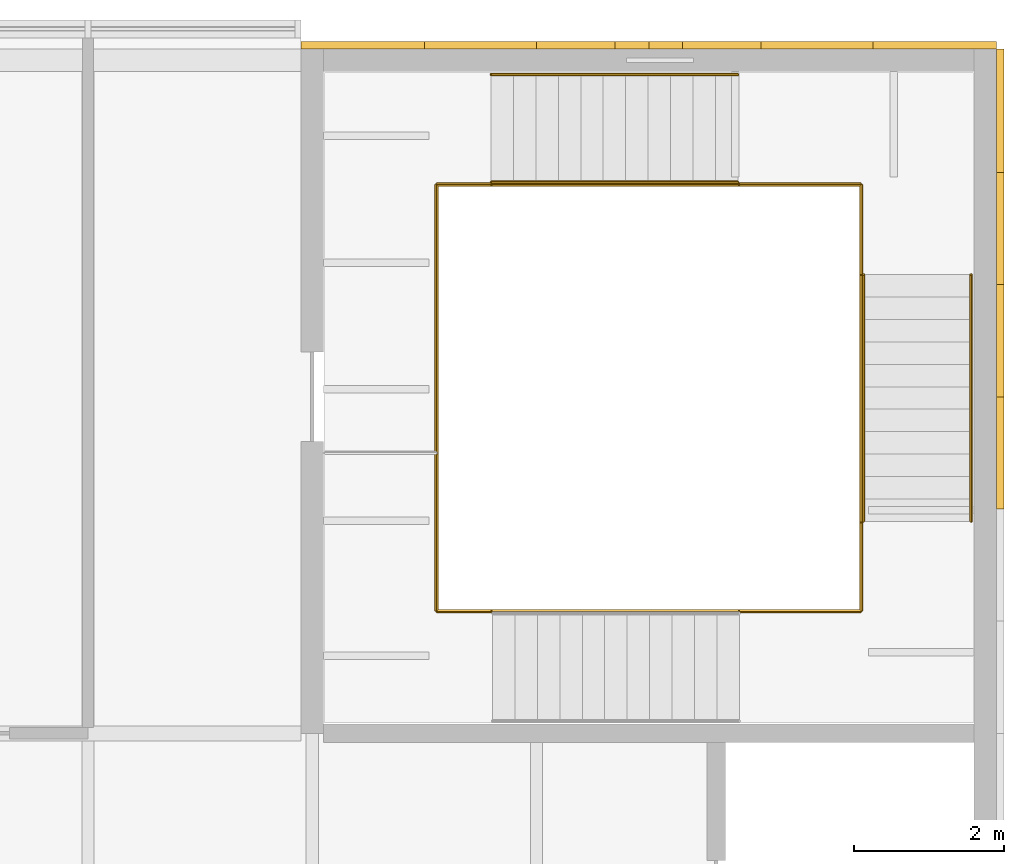
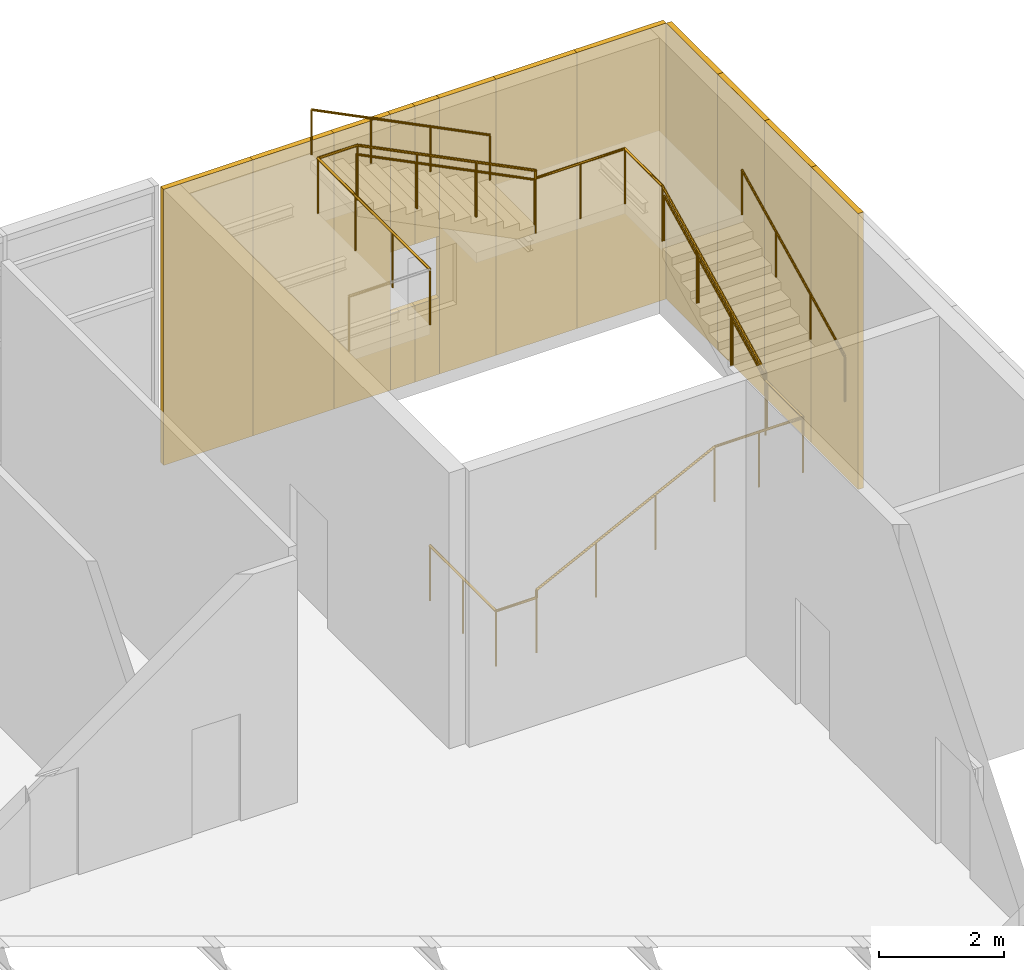
# One storey, part 52 of 52: 14 coverings, 5 railings.
"""IFC4 building model written with IfcOpenShell, lengths in metres."""

import ifcopenshell
import ifcopenshell.guid

model = None  # the IFC model being written
_history = None  # IfcOwnerHistory: only IFC2X3 demands one
_inside = {}  # id of a spatial element -> (the spatial element, [elements in it])
_under = {}  # id of a project, library or spatial element -> (it, [spatial elements below it])
_declared = {}  # id of a project -> (the project, [libraries it declares])
_typed = {}  # id of a type object -> (the type object, [elements of that type])
_made_of = {}  # id of a material, layer set ... -> (it, [elements and type objects made of it])


def new_model(schema):
    """Start an empty IFC model of exactly this schema.

    Asked for "IFC4X3", IfcOpenShell would pick the latest addendum, in which some entities
    have other attributes; the version numbers below select the first issue.
    IFC2X3 requires an IfcOwnerHistory on every rooted entity: one is made here for all.
    """
    global model, _history
    if schema == "IFC4X3":
        model = ifcopenshell.file(schema_version=(4, 3, 0, 0))
    else:
        model = ifcopenshell.file(schema=schema)
    _inside.clear()
    _under.clear()
    _declared.clear()
    _typed.clear()
    _made_of.clear()
    _history = None
    if model.schema == "IFC2X3":
        org = make("IfcOrganization", Name="unknown")
        user = make(
            "IfcPersonAndOrganization",
            ThePerson=make("IfcPerson", FamilyName="unknown"),
            TheOrganization=org,
        )
        app = make(
            "IfcApplication",
            ApplicationDeveloper=org,
            Version="unknown",
            ApplicationFullName="unknown",
            ApplicationIdentifier="unknown",
        )
        _history = make(
            "IfcOwnerHistory",
            OwningUser=user,
            OwningApplication=app,
            ChangeAction="ADDED",
            CreationDate=0,
        )
    return model


def make(cls, **values):
    """One entity of the class cls with the attributes given. An attribute that is None is left unset."""
    return model.create_entity(
        cls, **{name: value for name, value in values.items() if value is not None}
    )


def rooted(cls, **values):
    """An entity with a GlobalId (a new one), such as an element, a storey or a relation."""
    return make(cls, GlobalId=ifcopenshell.guid.new(), OwnerHistory=_history, **values)


def si_unit(unit_type, name, prefix=None):
    """IfcSIUnit, for example si_unit("LENGTHUNIT", "METRE", prefix="MILLI")."""
    return make("IfcSIUnit", UnitType=unit_type, Prefix=prefix, Name=name)


def assignment(units):
    """IfcUnitAssignment: the units of a project."""
    return None if units is None else make("IfcUnitAssignment", Units=units)


def point(xyz):
    """IfcCartesianPoint."""
    return None if xyz is None else make("IfcCartesianPoint", Coordinates=xyz)


def direction(xyz):
    """IfcDirection."""
    return None if xyz is None else make("IfcDirection", DirectionRatios=xyz)


def frame(location, z_axis=None, x_axis=None):
    """IfcAxis2Placement3D, a coordinate frame: its origin and axes. An axis left out is left unset."""
    return make(
        "IfcAxis2Placement3D",
        Location=point(location),
        Axis=direction(z_axis),
        RefDirection=direction(x_axis),
    )


def frame_2d(location, x_axis=None):
    """IfcAxis2Placement2D, a coordinate frame in the plane: its origin and x axis."""
    return make(
        "IfcAxis2Placement2D", Location=point(location), RefDirection=direction(x_axis)
    )


def origin():
    """The frame at (0, 0, 0) with its axes left unset."""
    return frame((0.0, 0.0, 0.0))


def origin_2d():
    """The frame at (0, 0) in the plane with its x axis left unset."""
    return frame_2d((0.0, 0.0))


def place(relative_to, where):
    """IfcLocalPlacement: puts the frame where relative to a parent placement (None: the world)."""
    return make(
        "IfcLocalPlacement", PlacementRelTo=relative_to, RelativePlacement=where
    )


def context(
    kind, dimensions, precision=None, world=None, true_north=None, identifier=None
):
    """IfcGeometricRepresentationContext, for example the 3D "Model" context."""
    return make(
        "IfcGeometricRepresentationContext",
        ContextIdentifier=identifier,
        ContextType=kind,
        CoordinateSpaceDimension=dimensions,
        Precision=precision,
        WorldCoordinateSystem=world,
        TrueNorth=true_north,
    )


def subcontext(parent, identifier, kind, view, scale=None):
    """IfcGeometricRepresentationSubContext, for example "Body" below "Model"."""
    return make(
        "IfcGeometricRepresentationSubContext",
        ContextIdentifier=identifier,
        ContextType=kind,
        ParentContext=parent,
        TargetScale=scale,
        TargetView=view,
    )


def project(units=None, contexts=None):
    """IfcProject with its units and contexts."""
    return rooted(
        "IfcProject",
        Name="project",
        RepresentationContexts=contexts,
        UnitsInContext=assignment(units),
    )


def spatial(cls, under=None, at=None, **own):
    """A site, building, storey or space (cls), placed at a placement, below another one or the project."""
    s = rooted(cls, ObjectPlacement=at, **own)
    if under is not None:
        _under.setdefault(under.id(), (under, []))[1].append(s)
    return s


def profile(cls, at=None, kind="AREA", **sizes):
    """A parametric profile (cls). Its sizes go by their IFC names, for example OverallWidth=200.0."""
    return make(cls, ProfileType=kind, Position=at, **sizes)


def rectangle(**sizes):
    """IfcRectangleProfileDef."""
    return profile("IfcRectangleProfileDef", **sizes)


def circle(**sizes):
    """IfcCircleProfileDef."""
    return profile("IfcCircleProfileDef", **sizes)


def extrude(swept, where, along, depth):
    """IfcExtrudedAreaSolid: the profile swept, set in the frame where, extruded along a direction by depth."""
    return make(
        "IfcExtrudedAreaSolid",
        SweptArea=swept,
        Position=where,
        ExtrudedDirection=direction(along),
        Depth=depth,
    )


def shape(context_of_items, identifier, shape_type, items):
    """IfcShapeRepresentation: the items that make up one representation, for example the "Body"."""
    return make(
        "IfcShapeRepresentation",
        ContextOfItems=context_of_items,
        RepresentationIdentifier=identifier,
        RepresentationType=shape_type,
        Items=items,
    )


def material(Name=None, Category=None):
    """IfcMaterial."""
    return make("IfcMaterial", Name=Name, Category=Category)


def layer(
    of_material, thickness, ventilated=None, Name=None, Category=None, Priority=None
):
    """IfcMaterialLayer: one layer of a wall or slab, of a material (None: an air gap)."""
    return make(
        "IfcMaterialLayer",
        Material=of_material,
        LayerThickness=thickness,
        IsVentilated=ventilated,
        Name=Name,
        Category=Category,
        Priority=Priority,
    )


def layer_set(layers, Name=None):
    """IfcMaterialLayerSet."""
    return make("IfcMaterialLayerSet", MaterialLayers=layers, LayerSetName=Name)


def made_of(thing, what):
    """Note that an element or type object is made of a material, layer set ...; save() writes the relation."""
    if what is not None:
        _made_of.setdefault(what.id(), (what, []))[1].append(thing)
    return thing


def type_object(cls, material=None, **own):
    """A type object (cls), such as IfcWallType, which elements share."""
    return made_of(rooted(cls, **own), material)


def element(
    cls,
    number,
    at=None,
    inside=None,
    cuts=None,
    type_object=None,
    material=None,
    context=None,
    identifier="Body",
    shape_type=None,
    held_by="IfcProductDefinitionShape",
    body=None,
    shapes=None,
    **own,
):
    """One element of the class cls, such as IfcWall. Its Tag is "e" and its number.

    at: its placement. inside: the storey or other place that contains it. cuts: it is an
    opening in that element (IfcRelVoidsElement). A single representation is given by context,
    identifier, shape_type and body (its items); several are given by shapes. held_by: the class
    of the entity that holds the representations. save() writes the other relations.
    """
    e = rooted(cls, Tag="e%d" % number, ObjectPlacement=at, **own)
    if body is not None:
        shapes = [shape(context, identifier, shape_type, body)]
    if shapes is not None:
        e.Representation = make(held_by, Representations=shapes)
    if inside is not None:
        _inside.setdefault(inside.id(), (inside, []))[1].append(e)
    if cuts is not None:
        rooted(
            "IfcRelVoidsElement", RelatingBuildingElement=cuts, RelatedOpeningElement=e
        )
    if type_object is not None:
        _typed.setdefault(type_object.id(), (type_object, []))[1].append(e)
    return made_of(e, material)


def aggregate(whole, parts):
    """IfcRelAggregates: a whole, such as a stair, and the parts it consists of."""
    return rooted("IfcRelAggregates", RelatingObject=whole, RelatedObjects=parts)


def save(model, path):
    """Write the relations noted so far, then the file.

    IfcRelAggregates (storeys below a building ...), IfcRelContainedInSpatialStructure (elements
    in a storey), IfcRelDefinesByType, IfcRelAssociatesMaterial and IfcRelDeclares: one each for
    every whole, place, type object, material and project.
    """
    for whole, parts in _under.values():
        aggregate(whole, parts)
    for where, things in _inside.values():
        rooted(
            "IfcRelContainedInSpatialStructure",
            RelatedElements=things,
            RelatingStructure=where,
        )
    for kind, things in _typed.values():
        rooted("IfcRelDefinesByType", RelatedObjects=things, RelatingType=kind)
    for what, things in _made_of.values():
        rooted("IfcRelAssociatesMaterial", RelatedObjects=things, RelatingMaterial=what)
    for by, libraries in _declared.values():
        rooted("IfcRelDeclares", RelatingContext=by, RelatedDefinitions=libraries)
    model.write(path)


model = new_model("IFC4")

# Units and contexts
model_context = context("Model", 3, precision=1e-05, world=origin(), true_north=direction((0.0, 1.0)))
body_context = subcontext(model_context, "Body", "Model", "MODEL_VIEW")
ifc_project = project(units=[si_unit("LENGTHUNIT", "METRE"), si_unit("AREAUNIT", "SQUARE_METRE"), si_unit("VOLUMEUNIT", "CUBIC_METRE"), si_unit("PLANEANGLEUNIT", "RADIAN"), si_unit("MASSUNIT", "GRAM", prefix="KILO")], contexts=[model_context])

# Site, building, storey
site_placement = place(None, origin())
site = spatial("IfcSite", under=ifc_project, at=site_placement, CompositionType="ELEMENT")
building_placement = place(site_placement, origin())
building = spatial("IfcBuilding", under=site, at=building_placement, Name="Azimuth Sports and Learning Centre", CompositionType="ELEMENT")
storey_placement = place(building_placement, frame((0.0, 0.0, 16.199951171875)))
storey = spatial("IfcBuildingStorey", under=building, at=storey_placement, Name="L03", CompositionType="ELEMENT", Elevation=16.199951171875)

# Coverings
ifc_material_1 = material(Name="Cladding panel")
ifc_layer = layer(ifc_material_1, 0.10009765625)
ifc_layer_set = layer_set([ifc_layer], Name="Cladding panel")
covering_type = type_object("IfcCoveringType", Name="Cladding panel 100", PredefinedType="CLADDING", material=ifc_layer_set)
for number, where, z_axis, x_axis, name in (
    (1, (171.199951171875, 111.75, 0.0), (0.0, 0.0, 1.0), (0.0, 1.0, 0.0), "Cladding panel E-END E L03 15"),
    (2, (171.199951171875, 113.25, 0.0), (0.0, 0.0, 1.0), (0.0, 1.0, 0.0), "Cladding panel E-END E L03 16"),
    (3, (171.199951171875, 114.75, 0.0), (0.0, 0.0, 1.0), (0.0, 1.0, 0.0), "Cladding panel E-END E L03 17"),
):
    element("IfcCovering", number, at=place(storey_placement, frame(where, z_axis=z_axis, x_axis=x_axis)), inside=storey, type_object=covering_type, Name=name, PredefinedType="CLADDING", context=body_context, shape_type="SweptSolid", body=[
        extrude(rectangle(XDim=1.5, YDim=0.10009765625, at=origin_2d()), origin(), (0.0, 0.0, 1.0), 5.39990234375),
    ])
for number, where, z_axis, x_axis, name in (
    (4, (171.199951171875, 116.324951171875, 0.0), (0.0, 0.0, 1.0), (0.0, 1.0, 0.0), "Cladding panel E-END E L03 18"),
    (5, (170.324951171875, 117.199951171875, 0.0), (0.0, 0.0, 1.0), (-1.0, 0.0, 0.0), "Cladding panel N-END E L03 1"),
):
    element("IfcCovering", number, at=place(storey_placement, frame(where, z_axis=z_axis, x_axis=x_axis)), inside=storey, type_object=covering_type, Name=name, PredefinedType="CLADDING", context=body_context, shape_type="SweptSolid", body=[
        extrude(rectangle(XDim=1.64990234375, YDim=0.10009765625, at=origin_2d()), origin(), (0.0, 0.0, 1.0), 5.39990234375),
    ])
covering_1_placement = place(storey_placement, frame((168.75, 117.199951171875, 0.0), z_axis=(0.0, 0.0, 1.0), x_axis=(-1.0, 0.0, 0.0)))
element("IfcCovering", 6, at=covering_1_placement, inside=storey, type_object=covering_type, Name="Cladding panel N-END E L03 2", PredefinedType="CLADDING", context=body_context, shape_type="SweptSolid", body=[
    extrude(rectangle(XDim=1.5, YDim=0.10009765625, at=origin_2d()), origin(), (0.0, 0.0, 1.0), 5.39990234375),
])
covering_2_placement = place(storey_placement, frame((167.47509765625, 117.199951171875, 0.0), z_axis=(0.0, 0.0, 1.0), x_axis=(-1.0, 0.0, 0.0)))
element("IfcCovering", 7, at=covering_2_placement, inside=storey, type_object=covering_type, Name="Cladding panel N-END E L03 3", PredefinedType="CLADDING", context=body_context, shape_type="SweptSolid", body=[
    extrude(rectangle(XDim=1.050048828125, YDim=0.10009765625, at=origin_2d()), origin(), (0.0, 0.0, 1.0), 5.39990234375),
])
covering_3_placement = place(storey_placement, frame((166.72509765625, 117.199951171875, 0.0), z_axis=(0.0, 0.0, 1.0), x_axis=(-1.0, 0.0, 0.0)))
element("IfcCovering", 8, at=covering_3_placement, inside=storey, type_object=covering_type, Name="Cladding panel N-END E L03 4", PredefinedType="CLADDING", context=body_context, shape_type="SweptSolid", body=[
    extrude(rectangle(XDim=0.449951171875, YDim=0.10009765625, at=origin_2d()), origin(), (0.0, 0.0, 1.0), 1.5),
])
covering_4_placement = place(storey_placement, frame((166.72509765625, 117.199951171875, 2.7001953125), z_axis=(0.0, 0.0, 1.0), x_axis=(-1.0, 0.0, 0.0)))
element("IfcCovering", 9, at=covering_4_placement, inside=storey, type_object=covering_type, Name="Cladding panel N-END E L03 5", PredefinedType="CLADDING", context=body_context, shape_type="SweptSolid", body=[
    extrude(rectangle(XDim=0.449951171875, YDim=0.10009765625, at=origin_2d()), origin(), (0.0, 0.0, 1.0), 2.699951171875),
])
covering_5_placement = place(storey_placement, frame((165.52490234375, 117.199951171875, 0.0), z_axis=(0.0, 0.0, 1.0), x_axis=(-1.0, 0.0, 0.0)))
element("IfcCovering", 10, at=covering_5_placement, inside=storey, type_object=covering_type, Name="Cladding panel N-END E L03 6", PredefinedType="CLADDING", context=body_context, shape_type="SweptSolid", body=[
    extrude(rectangle(XDim=1.050048828125, YDim=0.10009765625, at=origin_2d()), origin(), (0.0, 0.0, 1.0), 5.39990234375),
])
covering_6_placement = place(storey_placement, frame((166.27490234375, 117.199951171875, 0.0), z_axis=(0.0, 0.0, 1.0), x_axis=(-1.0, 0.0, 0.0)))
element("IfcCovering", 11, at=covering_6_placement, inside=storey, type_object=covering_type, Name="Cladding panel N-END E L03 7", PredefinedType="CLADDING", context=body_context, shape_type="SweptSolid", body=[
    extrude(rectangle(XDim=0.449951171875, YDim=0.10009765625, at=origin_2d()), origin(), (0.0, 0.0, 1.0), 1.5),
])
covering_7_placement = place(storey_placement, frame((166.27490234375, 117.199951171875, 2.7001953125), z_axis=(0.0, 0.0, 1.0), x_axis=(-1.0, 0.0, 0.0)))
element("IfcCovering", 12, at=covering_7_placement, inside=storey, type_object=covering_type, Name="Cladding panel N-END E L03 8", PredefinedType="CLADDING", context=body_context, shape_type="SweptSolid", body=[
    extrude(rectangle(XDim=0.449951171875, YDim=0.10009765625, at=origin_2d()), origin(), (0.0, 0.0, 1.0), 2.699951171875),
])
covering_8_placement = place(storey_placement, frame((164.25, 117.199951171875, 0.0), z_axis=(0.0, 0.0, 1.0), x_axis=(-1.0, 0.0, 0.0)))
element("IfcCovering", 13, at=covering_8_placement, inside=storey, type_object=covering_type, Name="Cladding panel N-END E L03 9", PredefinedType="CLADDING", context=body_context, shape_type="SweptSolid", body=[
    extrude(rectangle(XDim=1.5, YDim=0.10009765625, at=origin_2d()), origin(), (0.0, 0.0, 1.0), 5.39990234375),
])
covering_9_placement = place(storey_placement, frame((162.675048828125, 117.199951171875, 0.0), z_axis=(0.0, 0.0, 1.0), x_axis=(-1.0, 0.0, 0.0)))
element("IfcCovering", 14, at=covering_9_placement, inside=storey, type_object=covering_type, Name="Cladding panel N-END E L03 10", PredefinedType="CLADDING", context=body_context, shape_type="SweptSolid", body=[
    extrude(rectangle(XDim=1.64990234375, YDim=0.10009765625, at=origin_2d()), origin(), (0.0, 0.0, 1.0), 5.39990234375),
])

# Railings
ifc_material_2 = material(Name="Stainless steel", Category="steel")
railing_type_1 = type_object("IfcRailingType", Name="Stair guard 1100", PredefinedType="GUARDRAIL", material=ifc_material_2)
railing_placement = place(storey_placement, frame((163.659912109375, 111.75, 0.0)))
element("IfcRailing", 15, at=railing_placement, inside=storey, type_object=railing_type_1, Name="Guard EW2 L03 well", PredefinedType="GUARDRAIL", context=body_context, shape_type="SweptSolid", body=[
    extrude(circle(Radius=0.02392578125, at=origin_2d()), frame((0.0, 0.0, 1.076171875), z_axis=(0.0, -1.0, 0.0), x_axis=(1.0, 0.0, 0.0)), (0.0, 0.0, 1.0), 2.114990234375),
    extrude(circle(Radius=0.02392578125, at=origin_2d()), frame((0.0, -2.114990234375, 1.076171875), z_axis=(1.0, 0.0, 0.0), x_axis=(0.0, 1.0, 0.0)), (0.0, 0.0, 1.0), 0.75),
    extrude(circle(Radius=0.02392578125, at=origin_2d()), frame((0.75, -2.114990234375, 1.076171875), z_axis=(0.0, 0.0, 1.0), x_axis=(1.0, 0.0, 0.0)), (0.0, 0.0, 1.0), 0.150146484375),
    extrude(circle(Radius=0.02392578125, at=origin_2d()), frame((0.75, -2.114990234375, 1.22607421875), z_axis=(0.894440424912, 0.0, 0.447187126696), x_axis=(0.0, 1.0, 0.0)), (0.0, 0.0, 1.0), 3.689453125),
    extrude(circle(Radius=0.02392578125, at=origin_2d()), frame((4.050048828125, -2.114990234375, 2.8759765625), z_axis=(1.0, 0.0, 0.0), x_axis=(0.0, 1.0, 0.0)), (0.0, 0.0, 1.0), 1.630126953125),
    extrude(circle(Radius=0.02392578125, at=origin_2d()), frame((5.68017578125, -2.114990234375, 2.8759765625), z_axis=(0.0, 1.0, 0.0), x_axis=(-1.0, 0.0, 0.0)), (0.0, 0.0, 1.0), 1.199951171875),
    extrude(circle(Radius=0.02392578125, at=origin_2d()), frame((5.68017578125, -0.9150390625, 2.8759765625), z_axis=(0.0, 0.0, 1.0), x_axis=(1.0, 0.0, 0.0)), (0.0, 0.0, 1.0), 0.14990234375),
    extrude(circle(Radius=0.02392578125, at=origin_2d()), frame((5.68017578125, -0.9150390625, 3.02587890625), z_axis=(0.0, 0.894413956696, 0.447240063129), x_axis=(-1.0, 0.0, 0.0)), (0.0, 0.0, 1.0), 3.689697265625),
    extrude(circle(Radius=0.02392578125, at=origin_2d()), frame((5.68017578125, 2.385009765625, 4.67626953125), z_axis=(0.0, 1.0, 0.0), x_axis=(-1.0, 0.0, 0.0)), (0.0, 0.0, 1.0), 1.205078125),
    extrude(circle(Radius=0.02392578125, at=origin_2d()), frame((5.68017578125, 3.590087890625, 4.67626953125), z_axis=(-1.0, 0.0, 0.0), x_axis=(0.0, -1.0, 0.0)), (0.0, 0.0, 1.0), 1.650146484375),
    extrude(circle(Radius=0.02392578125, at=origin_2d()), frame((4.030029296875, 3.590087890625, 4.67626953125), z_axis=(0.0, 0.0, 1.0), x_axis=(1.0, 0.0, 0.0)), (0.0, 0.0, 1.0), 0.14990234375),
    extrude(circle(Radius=0.02392578125, at=origin_2d()), frame((4.030029296875, 3.590087890625, 4.826171875), z_axis=(-0.894413956696, 0.0, 0.447240063129), x_axis=(0.0, -1.0, 0.0)), (0.0, 0.0, 1.0), 3.689697265625),
    extrude(circle(Radius=0.02392578125, at=origin_2d()), frame((0.72998046875, 3.590087890625, 6.47607421875), z_axis=(-1.0, 0.0, 0.0), x_axis=(0.0, -1.0, 0.0)), (0.0, 0.0, 1.0), 0.72998046875),
    extrude(circle(Radius=0.02392578125, at=origin_2d()), frame((0.0, 3.590087890625, 6.47607421875), z_axis=(0.0, -1.0, 0.0), x_axis=(1.0, 0.0, 0.0)), (0.0, 0.0, 1.0), 3.590087890625),
    extrude(circle(Radius=0.01611328125, at=origin_2d()), origin(), (0.0, 0.0, 1.0), 1.052001953125),
    extrude(circle(Radius=0.01611328125, at=origin_2d()), frame((0.0, -1.0576171875, 0.0)), (0.0, 0.0, 1.0), 1.052001953125),
    extrude(circle(Radius=0.01611328125, at=origin_2d()), frame((0.0, -2.114990234375, 0.0)), (0.0, 0.0, 1.0), 1.052001953125),
    extrude(circle(Radius=0.01611328125, at=origin_2d()), frame((0.75, -2.114990234375, 0.0)), (0.0, 0.0, 1.0), 1.052001953125),
    extrude(circle(Radius=0.01611328125, at=origin_2d()), frame((0.75, -2.114990234375, 0.150146484375)), (0.0, 0.0, 1.0), 1.052001953125),
    extrude(circle(Radius=0.01611328125, at=origin_2d()), frame((1.85009765625, -2.114990234375, 0.7001953125)), (0.0, 0.0, 1.0), 1.052001953125),
    extrude(circle(Radius=0.01611328125, at=origin_2d()), frame((2.949951171875, -2.114990234375, 1.25)), (0.0, 0.0, 1.0), 1.052001953125),
    extrude(circle(Radius=0.01611328125, at=origin_2d()), frame((4.050048828125, -2.114990234375, 1.800048828125)), (0.0, 0.0, 1.0), 1.052001953125),
    extrude(circle(Radius=0.01611328125, at=origin_2d()), frame((4.865234375, -2.114990234375, 1.800048828125)), (0.0, 0.0, 1.0), 1.052001953125),
    extrude(circle(Radius=0.01611328125, at=origin_2d()), frame((5.68017578125, -2.114990234375, 1.800048828125)), (0.0, 0.0, 1.0), 1.052001953125),
    extrude(circle(Radius=0.01611328125, at=origin_2d()), frame((5.68017578125, -0.9150390625, 1.800048828125)), (0.0, 0.0, 1.0), 1.052001953125),
    extrude(circle(Radius=0.01611328125, at=origin_2d()), frame((5.68017578125, -0.9150390625, 1.949951171875)), (0.0, 0.0, 1.0), 1.052001953125),
    extrude(circle(Radius=0.01611328125, at=origin_2d()), frame((5.68017578125, 0.18505859375, 2.5)), (0.0, 0.0, 1.0), 1.052001953125),
    extrude(circle(Radius=0.01611328125, at=origin_2d()), frame((5.68017578125, 1.284912109375, 3.050048828125)), (0.0, 0.0, 1.0), 1.052001953125),
    extrude(circle(Radius=0.01611328125, at=origin_2d()), frame((5.68017578125, 2.385009765625, 3.60009765625)), (0.0, 0.0, 1.0), 1.052001953125),
    extrude(circle(Radius=0.01611328125, at=origin_2d()), frame((5.68017578125, 3.590087890625, 3.60009765625)), (0.0, 0.0, 1.0), 1.052001953125),
    extrude(circle(Radius=0.01611328125, at=origin_2d()), frame((4.85498046875, 3.590087890625, 3.60009765625)), (0.0, 0.0, 1.0), 1.052001953125),
    extrude(circle(Radius=0.01611328125, at=origin_2d()), frame((4.030029296875, 3.590087890625, 3.60009765625)), (0.0, 0.0, 1.0), 1.052001953125),
    extrude(circle(Radius=0.01611328125, at=origin_2d()), frame((4.030029296875, 3.590087890625, 3.75)), (0.0, 0.0, 1.0), 1.052001953125),
    extrude(circle(Radius=0.01611328125, at=origin_2d()), frame((2.929931640625, 3.590087890625, 4.300048828125)), (0.0, 0.0, 1.0), 1.052001953125),
    extrude(circle(Radius=0.01611328125, at=origin_2d()), frame((1.830078125, 3.590087890625, 4.85009765625)), (0.0, 0.0, 1.0), 1.052001953125),
    extrude(circle(Radius=0.01611328125, at=origin_2d()), frame((0.72998046875, 3.590087890625, 5.400146484375)), (0.0, 0.0, 1.0), 1.052001953125),
    extrude(circle(Radius=0.01611328125, at=origin_2d()), frame((0.0, 3.590087890625, 5.400146484375)), (0.0, 0.0, 1.0), 1.052001953125),
    extrude(circle(Radius=0.01611328125, at=origin_2d()), frame((0.0, 2.393310546875, 5.400146484375)), (0.0, 0.0, 1.0), 1.052001953125),
    extrude(circle(Radius=0.01611328125, at=origin_2d()), frame((0.0, 1.19677734375, 5.400146484375)), (0.0, 0.0, 1.0), 1.052001953125),
    extrude(circle(Radius=0.01611328125, at=origin_2d()), frame((0.0, 0.0, 5.400146484375)), (0.0, 0.0, 1.0), 1.052001953125),
])
ifc_material_3 = material(Name="Stainless steel", Category="steel")
railing_type_2 = type_object("IfcRailingType", Name="Stair handrail 42", PredefinedType="HANDRAIL", material=ifc_material_3)
for number, where, name in (
    (16, (169.3701171875, 110.8349609375, 1.949951171875), "Handrail EW2 L03 flight 2 inner"),
    (17, (170.81005859375, 110.8349609375, 1.949951171875), "Handrail EW2 L03 flight 2 outer"),
):
    element("IfcRailing", number, at=place(storey_placement, frame(where)), inside=storey, type_object=railing_type_2, Name=name, PredefinedType="HANDRAIL", context=body_context, shape_type="SweptSolid", body=[
        extrude(circle(Radius=0.02099609375, at=origin_2d()), frame((0.0, 0.0, 0.87890625), z_axis=(0.0, 0.894413956696, 0.447240063129), x_axis=(-1.0, 0.0, 0.0)), (0.0, 0.0, 1.0), 3.689697265625),
        extrude(circle(Radius=0.01611328125, at=origin_2d()), origin(), (0.0, 0.0, 1.0), 0.85791015625),
        extrude(circle(Radius=0.01611328125, at=origin_2d()), frame((0.0, 1.10009765625, 0.550048828125)), (0.0, 0.0, 1.0), 0.85791015625),
        extrude(circle(Radius=0.01611328125, at=origin_2d()), frame((0.0, 2.199951171875, 1.10009765625)), (0.0, 0.0, 1.0), 0.85791015625),
        extrude(circle(Radius=0.01611328125, at=origin_2d()), frame((0.0, 3.300048828125, 1.650146484375)), (0.0, 0.0, 1.0), 0.85791015625),
    ])
for number, where, name in (
    (18, (167.68994140625, 115.3701171875, 3.75), "Handrail EW2 L03 flight 3 inner"),
    (19, (167.68994140625, 116.81005859375, 3.75), "Handrail EW2 L03 flight 3 outer"),
):
    element("IfcRailing", number, at=place(storey_placement, frame(where)), inside=storey, type_object=railing_type_2, Name=name, PredefinedType="HANDRAIL", context=body_context, shape_type="SweptSolid", body=[
        extrude(circle(Radius=0.02099609375, at=origin_2d()), frame((0.0, 0.0, 0.87890625), z_axis=(-0.894413956696, 0.0, 0.447240063129), x_axis=(0.0, -1.0, 0.0)), (0.0, 0.0, 1.0), 3.689697265625),
        extrude(circle(Radius=0.01611328125, at=origin_2d()), origin(), (0.0, 0.0, 1.0), 0.85791015625),
        extrude(circle(Radius=0.01611328125, at=origin_2d()), frame((-1.10009765625, 0.0, 0.550048828125)), (0.0, 0.0, 1.0), 0.85791015625),
        extrude(circle(Radius=0.01611328125, at=origin_2d()), frame((-2.199951171875, 0.0, 1.10009765625)), (0.0, 0.0, 1.0), 0.85791015625),
        extrude(circle(Radius=0.01611328125, at=origin_2d()), frame((-3.300048828125, 0.0, 1.650146484375)), (0.0, 0.0, 1.0), 0.85791015625),
    ])

save(model, "model.ifc")
